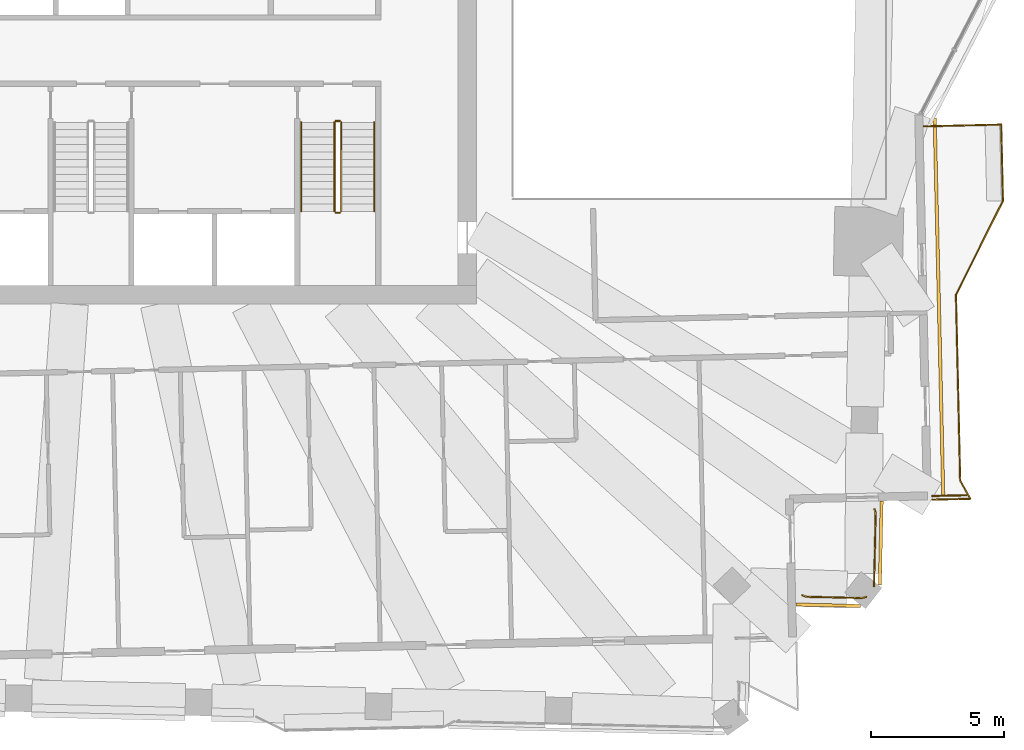
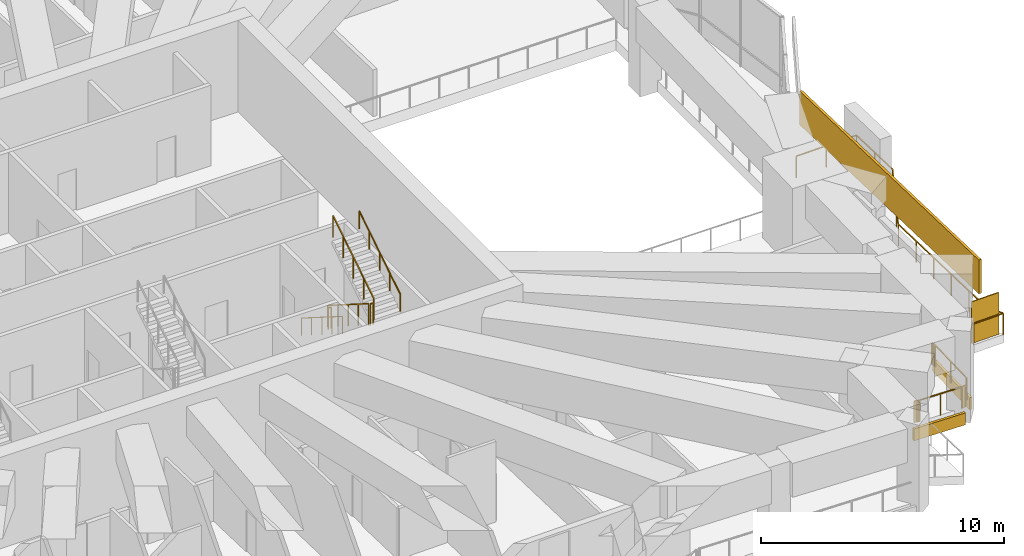
# One storey, part 20 of 21: 9 railings, 3 coverings, 1 shading device.
"""IFC4 building model written with IfcOpenShell, lengths in metres."""

from ifc_helpers import new_model, si_unit, direction, frame, frame_2d, origin, origin_2d, place, context, subcontext, project, spatial, rectangle, circle, extrude, material, layer, layer_set, type_object, element, save


model = new_model("IFC4")

# Units and contexts
model_context = context("Model", 3, precision=1e-05, world=origin(), true_north=direction((0.0, 1.0)))
body_context = subcontext(model_context, "Body", "Model", "MODEL_VIEW")
ifc_project = project(units=[si_unit("LENGTHUNIT", "METRE"), si_unit("AREAUNIT", "SQUARE_METRE"), si_unit("VOLUMEUNIT", "CUBIC_METRE"), si_unit("PLANEANGLEUNIT", "RADIAN"), si_unit("MASSUNIT", "GRAM", prefix="KILO")], contexts=[model_context])

# Site, building, storey
site_placement = place(None, origin())
site = spatial("IfcSite", under=ifc_project, at=site_placement, CompositionType="ELEMENT")
building_placement = place(site_placement, origin())
building = spatial("IfcBuilding", under=site, at=building_placement, Name="Mangrove Gate Tower", CompositionType="ELEMENT")
storey_placement = place(building_placement, frame((0.0, 0.0, 275.300048828125)))
storey = spatial("IfcBuildingStorey", under=building, at=storey_placement, Name="L70", CompositionType="ELEMENT", Elevation=275.300048828125)

# Railings
ifc_material_1 = material(Name="Stainless steel grade 316 with laminated glass infill", Category="steel")
railing_type_1 = type_object("IfcRailingType", Name="Balcony guard 1100", PredefinedType="GUARDRAIL", material=ifc_material_1)
railing_1_placement = place(storey_placement, frame((31.680908203125, -18.873046875, 0.0)))
element("IfcRailing", 1, at=railing_1_placement, inside=storey, type_object=railing_type_1, Name="GUARD L70 E1", PredefinedType="GUARDRAIL", context=body_context, shape_type="SweptSolid", body=[
    extrude(rectangle(XDim=0.048095703125, YDim=0.048095703125, at=origin_2d()), frame((0.0, 0.0, 1.076171875), z_axis=(0.99973456031, 0.023039290823, 0.0), x_axis=(-0.023039290823, 0.99973456031, 0.0)), (0.0, 0.0, 1.0), 1.4306640625),
    extrude(rectangle(XDim=0.048095703125, YDim=0.048095703125, at=origin_2d()), frame((1.43017578125, 0.032958984375, 1.076171875), z_axis=(-0.487579417205, 0.873078640168, 0.0), x_axis=(-0.873078640168, -0.487579417205, 0.0)), (0.0, 0.0, 1.0), 0.791748046875),
    extrude(rectangle(XDim=0.048095703125, YDim=0.048095703125, at=origin_2d()), frame((1.044189453125, 0.72412109375, 1.076171875), z_axis=(-0.022740419861, 0.999741403216, 0.0), x_axis=(-0.999741403216, -0.022740419861, 0.0)), (0.0, 0.0, 1.0), 6.999755859375),
    extrude(rectangle(XDim=0.048095703125, YDim=0.048095703125, at=origin_2d()), frame((0.885009765625, 7.72216796875, 1.076171875), z_axis=(0.447139584658, 0.894464192593, 0.0), x_axis=(-0.894464192593, 0.447139584658, 0.0)), (0.0, 0.0, 1.0), 3.95849609375),
    extrude(rectangle(XDim=0.048095703125, YDim=0.048095703125, at=origin_2d()), frame((2.655029296875, 11.262939453125, 1.076171875), z_axis=(-0.022590224177, 0.999744808324, 0.0), x_axis=(-0.999744808324, -0.022590224177, 0.0)), (0.0, 0.0, 1.0), 2.874755859375),
    extrude(rectangle(XDim=0.048095703125, YDim=0.048095703125, at=origin_2d()), frame((2.590087890625, 14.136962890625, 1.076171875), z_axis=(-0.999743349437, -0.022654696127, 0.0), x_axis=(0.022654696127, -0.999743349437, 0.0)), (0.0, 0.0, 1.0), 2.90966796875),
    extrude(rectangle(XDim=0.0419921875, YDim=0.0419921875, at=origin_2d()), origin(), (0.0, 0.0, 1.0), 1.052001953125),
    extrude(rectangle(XDim=0.0419921875, YDim=0.0419921875, at=origin_2d()), frame((1.43017578125, 0.032958984375, 0.0)), (0.0, 0.0, 1.0), 1.052001953125),
    extrude(rectangle(XDim=0.0419921875, YDim=0.0419921875, at=origin_2d()), frame((1.044189453125, 0.72412109375, 0.0)), (0.0, 0.0, 1.0), 1.052001953125),
    extrude(rectangle(XDim=0.0419921875, YDim=0.0419921875, at=origin_2d()), frame((1.012451171875, 2.123779296875, 0.0)), (0.0, 0.0, 1.0), 1.052001953125),
    extrude(rectangle(XDim=0.0419921875, YDim=0.0419921875, at=origin_2d()), frame((0.98046875, 3.5234375, 0.0)), (0.0, 0.0, 1.0), 1.052001953125),
    extrude(rectangle(XDim=0.0419921875, YDim=0.0419921875, at=origin_2d()), frame((0.94873046875, 4.9228515625, 0.0)), (0.0, 0.0, 1.0), 1.052001953125),
    extrude(rectangle(XDim=0.0419921875, YDim=0.0419921875, at=origin_2d()), frame((0.916748046875, 6.322509765625, 0.0)), (0.0, 0.0, 1.0), 1.052001953125),
    extrude(rectangle(XDim=0.0419921875, YDim=0.0419921875, at=origin_2d()), frame((0.885009765625, 7.72216796875, 0.0)), (0.0, 0.0, 1.0), 1.052001953125),
    extrude(rectangle(XDim=0.0419921875, YDim=0.0419921875, at=origin_2d()), frame((1.47509765625, 8.90234375, 0.0)), (0.0, 0.0, 1.0), 1.052001953125),
    extrude(rectangle(XDim=0.0419921875, YDim=0.0419921875, at=origin_2d()), frame((2.06494140625, 10.082763671875, 0.0)), (0.0, 0.0, 1.0), 1.052001953125),
    extrude(rectangle(XDim=0.0419921875, YDim=0.0419921875, at=origin_2d()), frame((2.655029296875, 11.262939453125, 0.0)), (0.0, 0.0, 1.0), 1.052001953125),
    extrude(rectangle(XDim=0.0419921875, YDim=0.0419921875, at=origin_2d()), frame((2.62255859375, 12.699951171875, 0.0)), (0.0, 0.0, 1.0), 1.052001953125),
    extrude(rectangle(XDim=0.0419921875, YDim=0.0419921875, at=origin_2d()), frame((2.590087890625, 14.136962890625, 0.0)), (0.0, 0.0, 1.0), 1.052001953125),
    extrude(rectangle(XDim=0.0419921875, YDim=0.0419921875, at=origin_2d()), frame((1.1357421875, 14.10400390625, 0.0)), (0.0, 0.0, 1.0), 1.052001953125),
    extrude(rectangle(XDim=0.0419921875, YDim=0.0419921875, at=origin_2d()), frame((-0.31884765625, 14.071044921875, 0.0)), (0.0, 0.0, 1.0), 1.052001953125),
])
railing_2_placement = place(storey_placement, frame((29.18603515625, -22.531005859375, 0.0)))
element("IfcRailing", 2, at=railing_2_placement, inside=storey, type_object=railing_type_1, Name="GUARD L70 T1.1", PredefinedType="GUARDRAIL", context=body_context, shape_type="SweptSolid", body=[
    extrude(rectangle(XDim=0.048095703125, YDim=0.048095703125, at=origin_2d()), frame((0.0, 0.0, 1.076171875), z_axis=(-0.909198877737, -0.416362102889, 0.0), x_axis=(0.416362102889, -0.909198877737, 0.0)), (0.0, 0.0, 1.0), 0.02880859375),
    extrude(rectangle(XDim=0.048095703125, YDim=0.048095703125, at=origin_2d()), frame((-0.026123046875, -0.011962890625, 1.076171875), z_axis=(-0.94968876353, -0.313195230526, 0.0), x_axis=(0.313195230526, -0.94968876353, 0.0)), (0.0, 0.0, 1.0), 0.04833984375),
    extrude(rectangle(XDim=0.048095703125, YDim=0.048095703125, at=origin_2d()), frame((-0.072021484375, -0.027099609375, 1.076171875), z_axis=(-0.974889210585, -0.222690428814, 0.0), x_axis=(0.222690428814, -0.974889210585, 0.0)), (0.0, 0.0, 1.0), 0.04931640625),
    extrude(rectangle(XDim=0.048095703125, YDim=0.048095703125, at=origin_2d()), frame((-0.1201171875, -0.0380859375, 1.076171875), z_axis=(-0.992876838487, -0.119145220618, 0.0), x_axis=(0.119145220618, -0.992876838487, 0.0)), (0.0, 0.0, 1.0), 0.049072265625),
    extrude(rectangle(XDim=0.048095703125, YDim=0.048095703125, at=origin_2d()), frame((-0.1689453125, -0.0439453125, 1.076171875), z_axis=(-0.999802043895, -0.019896558087, 0.0), x_axis=(0.019896558087, -0.999802043895, 0.0)), (0.0, 0.0, 1.0), 0.049072265625),
    extrude(rectangle(XDim=0.048095703125, YDim=0.048095703125, at=origin_2d()), frame((-0.218017578125, -0.044921875, 1.076171875), z_axis=(-0.999750784644, 0.022324170852, 0.0), x_axis=(-0.022324170852, -0.999750784644, 0.0)), (0.0, 0.0, 1.0), 1.968505859375),
    extrude(rectangle(XDim=0.048095703125, YDim=0.048095703125, at=origin_2d()), frame((-2.18603515625, -0.0009765625, 1.076171875), z_axis=(-0.996581277887, 0.082618137027, 0.0), x_axis=(-0.082618137027, -0.996581277887, 0.0)), (0.0, 0.0, 1.0), 0.04736328125),
    extrude(rectangle(XDim=0.048095703125, YDim=0.048095703125, at=origin_2d()), frame((-2.233154296875, 0.0029296875, 1.076171875), z_axis=(-0.98554889076, 0.169391215599, 0.0), x_axis=(-0.169391215599, -0.98554889076, 0.0)), (0.0, 0.0, 1.0), 0.047607421875),
    extrude(rectangle(XDim=0.048095703125, YDim=0.048095703125, at=origin_2d()), frame((-2.280029296875, 0.010986328125, 1.076171875), z_axis=(-0.967671910146, 0.252212359559, 0.0), x_axis=(-0.252212359559, -0.967671910146, 0.0)), (0.0, 0.0, 1.0), 0.04736328125),
    extrude(rectangle(XDim=0.048095703125, YDim=0.048095703125, at=origin_2d()), frame((-2.325927734375, 0.02294921875, 1.076171875), z_axis=(-0.941857040061, 0.336013862941, 0.0), x_axis=(-0.336013862941, -0.941857040061, 0.0)), (0.0, 0.0, 1.0), 0.0478515625),
    extrude(rectangle(XDim=0.048095703125, YDim=0.048095703125, at=origin_2d()), frame((-2.37109375, 0.0390625, 1.076171875), z_axis=(-0.895879160097, 0.444297794845, 0.0), x_axis=(-0.444297794845, -0.895879160097, 0.0)), (0.0, 0.0, 1.0), 0.033447265625),
    extrude(rectangle(XDim=0.0419921875, YDim=0.0419921875, at=origin_2d()), origin(), (0.0, 0.0, 1.0), 1.052001953125),
    extrude(rectangle(XDim=0.0419921875, YDim=0.0419921875, at=origin_2d()), frame((-0.026123046875, -0.011962890625, 0.0)), (0.0, 0.0, 1.0), 1.052001953125),
    extrude(rectangle(XDim=0.0419921875, YDim=0.0419921875, at=origin_2d()), frame((-0.072021484375, -0.027099609375, 0.0)), (0.0, 0.0, 1.0), 1.052001953125),
    extrude(rectangle(XDim=0.0419921875, YDim=0.0419921875, at=origin_2d()), frame((-0.1201171875, -0.0380859375, 0.0)), (0.0, 0.0, 1.0), 1.052001953125),
    extrude(rectangle(XDim=0.0419921875, YDim=0.0419921875, at=origin_2d()), frame((-0.1689453125, -0.0439453125, 0.0)), (0.0, 0.0, 1.0), 1.052001953125),
    extrude(rectangle(XDim=0.0419921875, YDim=0.0419921875, at=origin_2d()), frame((-0.218017578125, -0.044921875, 0.0)), (0.0, 0.0, 1.0), 1.052001953125),
    extrude(rectangle(XDim=0.0419921875, YDim=0.0419921875, at=origin_2d()), frame((-1.2021484375, -0.02294921875, 0.0)), (0.0, 0.0, 1.0), 1.052001953125),
    extrude(rectangle(XDim=0.0419921875, YDim=0.0419921875, at=origin_2d()), frame((-2.18603515625, -0.0009765625, 0.0)), (0.0, 0.0, 1.0), 1.052001953125),
    extrude(rectangle(XDim=0.0419921875, YDim=0.0419921875, at=origin_2d()), frame((-2.233154296875, 0.0029296875, 0.0)), (0.0, 0.0, 1.0), 1.052001953125),
    extrude(rectangle(XDim=0.0419921875, YDim=0.0419921875, at=origin_2d()), frame((-2.280029296875, 0.010986328125, 0.0)), (0.0, 0.0, 1.0), 1.052001953125),
    extrude(rectangle(XDim=0.0419921875, YDim=0.0419921875, at=origin_2d()), frame((-2.325927734375, 0.02294921875, 0.0)), (0.0, 0.0, 1.0), 1.052001953125),
    extrude(rectangle(XDim=0.0419921875, YDim=0.0419921875, at=origin_2d()), frame((-2.37109375, 0.0390625, 0.0)), (0.0, 0.0, 1.0), 1.052001953125),
    extrude(rectangle(XDim=0.0419921875, YDim=0.0419921875, at=origin_2d()), frame((-2.401123046875, 0.053955078125, 0.0)), (0.0, 0.0, 1.0), 1.052001953125),
])
railing_3_placement = place(storey_placement, frame((29.493896484375, -19.22705078125, 0.0)))
element("IfcRailing", 3, at=railing_3_placement, inside=storey, type_object=railing_type_1, Name="GUARD L70 T1.2", PredefinedType="GUARDRAIL", context=body_context, shape_type="SweptSolid", body=[
    extrude(rectangle(XDim=0.048095703125, YDim=0.048095703125, at=origin_2d()), frame((0.0, 0.0, 1.076171875), z_axis=(0.4472135955, -0.894427191, 0.0), x_axis=(0.894427191, 0.4472135955, 0.0)), (0.0, 0.0, 1.0), 0.0224609375),
    extrude(rectangle(XDim=0.048095703125, YDim=0.048095703125, at=origin_2d()), frame((0.010009765625, -0.02001953125, 1.076171875), z_axis=(0.319127445946, -0.947711809172, 0.0), x_axis=(0.947711809172, 0.319127445946, 0.0)), (0.0, 0.0, 1.0), 0.050537109375),
    extrude(rectangle(XDim=0.048095703125, YDim=0.048095703125, at=origin_2d()), frame((0.026123046875, -0.06787109375, 1.076171875), z_axis=(0.236844906121, -0.971547472049, 0.0), x_axis=(0.971547472049, 0.236844906121, 0.0)), (0.0, 0.0, 1.0), 0.050537109375),
    extrude(rectangle(XDim=0.048095703125, YDim=0.048095703125, at=origin_2d()), frame((0.0380859375, -0.116943359375, 1.076171875), z_axis=(0.121054375311, -0.992645877551, 0.0), x_axis=(0.992645877551, 0.121054375311, 0.0)), (0.0, 0.0, 1.0), 0.050537109375),
    extrude(rectangle(XDim=0.048095703125, YDim=0.048095703125, at=origin_2d()), frame((0.044189453125, -0.1669921875, 1.076171875), z_axis=(0.019508481785, -0.999809691461, 0.0), x_axis=(0.999809691461, 0.019508481785, 0.0)), (0.0, 0.0, 1.0), 0.050048828125),
    extrude(rectangle(XDim=0.048095703125, YDim=0.048095703125, at=origin_2d()), frame((0.045166015625, -0.217041015625, 1.076171875), z_axis=(-0.022710919767, -0.999742073799, 0.0), x_axis=(0.999742073799, -0.022710919767, 0.0)), (0.0, 0.0, 1.0), 2.64453125),
    extrude(rectangle(XDim=0.048095703125, YDim=0.048095703125, at=origin_2d()), frame((-0.014892578125, -2.86083984375, 1.076171875), z_axis=(-0.059595380047, -0.998222615791, 0.0), x_axis=(0.998222615791, -0.059595380047, 0.0)), (0.0, 0.0, 1.0), 0.049072265625),
    extrude(rectangle(XDim=0.0419921875, YDim=0.0419921875, at=origin_2d()), origin(), (0.0, 0.0, 1.0), 1.052001953125),
    extrude(rectangle(XDim=0.0419921875, YDim=0.0419921875, at=origin_2d()), frame((0.010009765625, -0.02001953125, 0.0)), (0.0, 0.0, 1.0), 1.052001953125),
    extrude(rectangle(XDim=0.0419921875, YDim=0.0419921875, at=origin_2d()), frame((0.026123046875, -0.06787109375, 0.0)), (0.0, 0.0, 1.0), 1.052001953125),
    extrude(rectangle(XDim=0.0419921875, YDim=0.0419921875, at=origin_2d()), frame((0.0380859375, -0.116943359375, 0.0)), (0.0, 0.0, 1.0), 1.052001953125),
    extrude(rectangle(XDim=0.0419921875, YDim=0.0419921875, at=origin_2d()), frame((0.044189453125, -0.1669921875, 0.0)), (0.0, 0.0, 1.0), 1.052001953125),
    extrude(rectangle(XDim=0.0419921875, YDim=0.0419921875, at=origin_2d()), frame((0.045166015625, -0.217041015625, 0.0)), (0.0, 0.0, 1.0), 1.052001953125),
    extrude(rectangle(XDim=0.0419921875, YDim=0.0419921875, at=origin_2d()), frame((0.01513671875, -1.5390625, 0.0)), (0.0, 0.0, 1.0), 1.052001953125),
    extrude(rectangle(XDim=0.0419921875, YDim=0.0419921875, at=origin_2d()), frame((-0.014892578125, -2.86083984375, 0.0)), (0.0, 0.0, 1.0), 1.052001953125),
    extrude(rectangle(XDim=0.0419921875, YDim=0.0419921875, at=origin_2d()), frame((-0.017822265625, -2.909912109375, 0.0)), (0.0, 0.0, 1.0), 1.052001953125),
])

# Shading device
ifc_material_2 = material(Name="Timber slat screen in teak", Category="wood")
shading_device_type = type_object("IfcShadingDeviceType", Name="Balcony screen 2100", PredefinedType="USERDEFINED", material=ifc_material_2)
shading_device_placement = place(storey_placement, frame((32.31298828125, -18.718017578125, 0.0), z_axis=(0.0, 0.0, 1.0), x_axis=(0.999731402821, 0.02317589725, 0.0)))
element("IfcShadingDevice", 4, at=shading_device_placement, inside=storey, type_object=shading_device_type, Name="SCREEN L70 E0", ObjectType="SCREEN", PredefinedType="USERDEFINED", context=body_context, shape_type="SweptSolid", body=[
    extrude(rectangle(XDim=1.31005859375, YDim=0.050048828125, at=origin_2d()), origin(), (0.0, 0.0, 1.0), 2.10009765625),
])

# Railings
ifc_material_3 = material(Name="Stainless steel 316", Category="steel")
railing_type_2 = type_object("IfcRailingType", Name="Core stair guard 1100", PredefinedType="GUARDRAIL", material=ifc_material_3)
railing_4_placement = place(storey_placement, frame((9.14990234375, -4.64990234375, 0.1767578125)))
element("IfcRailing", 5, at=railing_4_placement, inside=storey, type_object=railing_type_2, Name="L70 ST3 stair guard 1", PredefinedType="GUARDRAIL", context=body_context, shape_type="SweptSolid", body=[
    extrude(rectangle(XDim=0.048095703125, YDim=0.048095703125, at=origin_2d()), frame((0.0, 0.0, 1.076171875), z_axis=(0.0, -0.845361898145, 0.534194029511), x_axis=(1.0, 0.0, 0.0)), (0.0, 0.0, 1.0), 3.974853515625),
    extrude(rectangle(XDim=0.0419921875, YDim=0.0419921875, at=origin_2d()), origin(), (0.0, 0.0, 1.0), 1.052001953125),
    extrude(rectangle(XDim=0.0419921875, YDim=0.0419921875, at=origin_2d()), frame((0.0, -0.840087890625, 0.53076171875)), (0.0, 0.0, 1.0), 1.052001953125),
    extrude(rectangle(XDim=0.0419921875, YDim=0.0419921875, at=origin_2d()), frame((0.0, -1.68017578125, 1.0615234375)), (0.0, 0.0, 1.0), 1.052001953125),
    extrude(rectangle(XDim=0.0419921875, YDim=0.0419921875, at=origin_2d()), frame((0.0, -2.52001953125, 1.592529296875)), (0.0, 0.0, 1.0), 1.052001953125),
    extrude(rectangle(XDim=0.0419921875, YDim=0.0419921875, at=origin_2d()), frame((0.0, -3.360107421875, 2.123291015625)), (0.0, 0.0, 1.0), 1.052001953125),
])
railing_5_placement = place(storey_placement, frame((9.199951171875, -8.06005859375, 2.300048828125)))
element("IfcRailing", 6, at=railing_5_placement, inside=storey, type_object=railing_type_2, Name="L70 ST3 stair guard 2", PredefinedType="GUARDRAIL", context=body_context, shape_type="SweptSolid", body=[
    extrude(rectangle(XDim=0.048095703125, YDim=0.048095703125, at=origin_2d()), frame((0.0, 0.0, 1.076171875), z_axis=(1.0, 0.0, 0.0), x_axis=(0.0, 1.0, 0.0)), (0.0, 0.0, 1.0), 0.150146484375),
    extrude(rectangle(XDim=0.0419921875, YDim=0.0419921875, at=origin_2d()), origin(), (0.0, 0.0, 1.0), 1.052001953125),
    extrude(rectangle(XDim=0.0419921875, YDim=0.0419921875, at=origin_2d()), frame((0.150146484375, 0.0, 0.0)), (0.0, 0.0, 1.0), 1.052001953125),
])
railing_6_placement = place(storey_placement, frame((9.39990234375, -8.010009765625, 2.476806640625)))
element("IfcRailing", 7, at=railing_6_placement, inside=storey, type_object=railing_type_2, Name="L70 ST3 stair guard 3", PredefinedType="GUARDRAIL", context=body_context, shape_type="SweptSolid", body=[
    extrude(rectangle(XDim=0.048095703125, YDim=0.048095703125, at=origin_2d()), frame((0.0, 0.0, 1.076171875), z_axis=(0.0, 0.845389635667, 0.534150132366), x_axis=(-1.0, 0.0, 0.0)), (0.0, 0.0, 1.0), 3.974609375),
    extrude(rectangle(XDim=0.0419921875, YDim=0.0419921875, at=origin_2d()), origin(), (0.0, 0.0, 1.0), 1.052001953125),
    extrude(rectangle(XDim=0.0419921875, YDim=0.0419921875, at=origin_2d()), frame((0.0, 0.840087890625, 0.53076171875)), (0.0, 0.0, 1.0), 1.052001953125),
    extrude(rectangle(XDim=0.0419921875, YDim=0.0419921875, at=origin_2d()), frame((0.0, 1.68017578125, 1.0615234375)), (0.0, 0.0, 1.0), 1.052001953125),
    extrude(rectangle(XDim=0.0419921875, YDim=0.0419921875, at=origin_2d()), frame((0.0, 2.52001953125, 1.59228515625)), (0.0, 0.0, 1.0), 1.052001953125),
    extrude(rectangle(XDim=0.0419921875, YDim=0.0419921875, at=origin_2d()), frame((0.0, 3.360107421875, 2.123046875)), (0.0, 0.0, 1.0), 1.052001953125),
])
railing_7_placement = place(storey_placement, frame((9.199951171875, -4.60009765625, 0.0)))
element("IfcRailing", 8, at=railing_7_placement, inside=storey, type_object=railing_type_2, Name="L70 ST3 stair guard 4", PredefinedType="GUARDRAIL", context=body_context, shape_type="SweptSolid", body=[
    extrude(rectangle(XDim=0.048095703125, YDim=0.048095703125, at=origin_2d()), frame((0.0, 0.0, 1.076171875), z_axis=(1.0, 0.0, 0.0), x_axis=(0.0, 1.0, 0.0)), (0.0, 0.0, 1.0), 0.150146484375),
    extrude(rectangle(XDim=0.0419921875, YDim=0.0419921875, at=origin_2d()), origin(), (0.0, 0.0, 1.0), 1.052001953125),
    extrude(rectangle(XDim=0.0419921875, YDim=0.0419921875, at=origin_2d()), frame((0.150146484375, 0.0, 0.0)), (0.0, 0.0, 1.0), 1.052001953125),
])
ifc_material_4 = material(Name="Stainless steel 316", Category="steel")
railing_type_3 = type_object("IfcRailingType", Name="Core stair handrail 900", PredefinedType="HANDRAIL", material=ifc_material_4)
railing_8_placement = place(storey_placement, frame((7.89990234375, -4.64990234375, 0.1767578125)))
element("IfcRailing", 9, at=railing_8_placement, inside=storey, type_object=railing_type_3, Name="L70 ST3 stair handrail 1", PredefinedType="HANDRAIL", context=body_context, shape_type="SweptSolid", body=[
    extrude(circle(Radius=0.02392578125, at=origin_2d()), frame((0.0, 0.0, 0.8759765625), z_axis=(0.0, -0.845361898145, 0.534194029511), x_axis=(1.0, 0.0, 0.0)), (0.0, 0.0, 1.0), 3.974853515625),
    extrude(circle(Radius=0.02099609375, at=origin_2d()), origin(), (0.0, 0.0, 1.0), 0.851806640625),
    extrude(circle(Radius=0.02099609375, at=origin_2d()), frame((0.0, -0.840087890625, 0.53076171875)), (0.0, 0.0, 1.0), 0.851806640625),
    extrude(circle(Radius=0.02099609375, at=origin_2d()), frame((0.0, -1.68017578125, 1.0615234375)), (0.0, 0.0, 1.0), 0.851806640625),
    extrude(circle(Radius=0.02099609375, at=origin_2d()), frame((0.0, -2.52001953125, 1.592529296875)), (0.0, 0.0, 1.0), 0.851806640625),
    extrude(circle(Radius=0.02099609375, at=origin_2d()), frame((0.0, -3.360107421875, 2.123291015625)), (0.0, 0.0, 1.0), 0.851806640625),
])
railing_9_placement = place(storey_placement, frame((10.64990234375, -8.010009765625, 2.476806640625)))
element("IfcRailing", 10, at=railing_9_placement, inside=storey, type_object=railing_type_3, Name="L70 ST3 stair handrail 2", PredefinedType="HANDRAIL", context=body_context, shape_type="SweptSolid", body=[
    extrude(circle(Radius=0.02392578125, at=origin_2d()), frame((0.0, 0.0, 0.8759765625), z_axis=(0.0, 0.845389635667, 0.534150132366), x_axis=(-1.0, 0.0, 0.0)), (0.0, 0.0, 1.0), 3.974609375),
    extrude(circle(Radius=0.02099609375, at=origin_2d()), origin(), (0.0, 0.0, 1.0), 0.851806640625),
    extrude(circle(Radius=0.02099609375, at=origin_2d()), frame((0.0, 0.840087890625, 0.53076171875)), (0.0, 0.0, 1.0), 0.851806640625),
    extrude(circle(Radius=0.02099609375, at=origin_2d()), frame((0.0, 1.68017578125, 1.0615234375)), (0.0, 0.0, 1.0), 0.851806640625),
    extrude(circle(Radius=0.02099609375, at=origin_2d()), frame((0.0, 2.52001953125, 1.59228515625)), (0.0, 0.0, 1.0), 0.851806640625),
    extrude(circle(Radius=0.02099609375, at=origin_2d()), frame((0.0, 3.360107421875, 2.123046875)), (0.0, 0.0, 1.0), 0.851806640625),
])

# Coverings
ifc_material_5 = material(Name="Limestone", Category="masonry")
ifc_layer_1 = layer(ifc_material_5, 0.0400390625, Name="Limestone cladding")
ifc_material_6 = material(Name="Stainless steel anchors and cavity", Category="steel")
ifc_layer_2 = layer(ifc_material_6, 0.080078125, Name="Fixing cavity")
ifc_layer_set = layer_set([ifc_layer_1, ifc_layer_2], Name="Joint fascia cladding 120")
covering_type = type_object("IfcCoveringType", Name="Joint fascia cladding 120", PredefinedType="CLADDING", material=ifc_layer_set)
covering_1_placement = place(storey_placement, frame((32.0869140625, -18.714111328125, 2.349853515625), z_axis=(0.0, 0.0, 1.0), x_axis=(-0.022698800888, 0.999742349027, 0.0)))
element("IfcCovering", 11, at=covering_1_placement, inside=storey, type_object=covering_type, Name="STONE FASCIA L70 E0.1", PredefinedType="CLADDING", context=body_context, shape_type="SweptSolid", body=[
    extrude(rectangle(XDim=14.229736328125, YDim=0.1201171875, at=frame_2d((7.11474609375, 0.0))), origin(), (0.0, 0.0, 1.0), 1.7001953125),
])
covering_2_placement = place(storey_placement, frame((28.9609375, -22.876953125, -0.60009765625), z_axis=(0.0, 0.0, 1.0), x_axis=(-0.999739756072, 0.0228127186, 0.0)))
element("IfcCovering", 12, at=covering_2_placement, inside=storey, type_object=covering_type, Name="STONE FASCIA L70 TB91-1.1", PredefinedType="CLADDING", context=body_context, shape_type="SweptSolid", body=[
    extrude(rectangle(XDim=2.429443359375, YDim=0.1201171875, at=frame_2d((1.21484375, 0.0))), origin(), (0.0, 0.0, 1.0), 0.60009765625),
])
covering_3_placement = place(storey_placement, frame((29.76904296875, -18.9189453125, -0.60009765625), z_axis=(0.0, 0.0, 1.0), x_axis=(-0.022684723269, -0.999742668555, 0.0)))
element("IfcCovering", 13, at=covering_3_placement, inside=storey, type_object=covering_type, Name="STONE FASCIA L70 TB91-2.1", PredefinedType="CLADDING", context=body_context, shape_type="SweptSolid", body=[
    extrude(rectangle(XDim=3.1748046875, YDim=0.1201171875, at=frame_2d((1.58740234375, 0.0))), origin(), (0.0, 0.0, 1.0), 0.60009765625),
])

save(model, "model.ifc")
